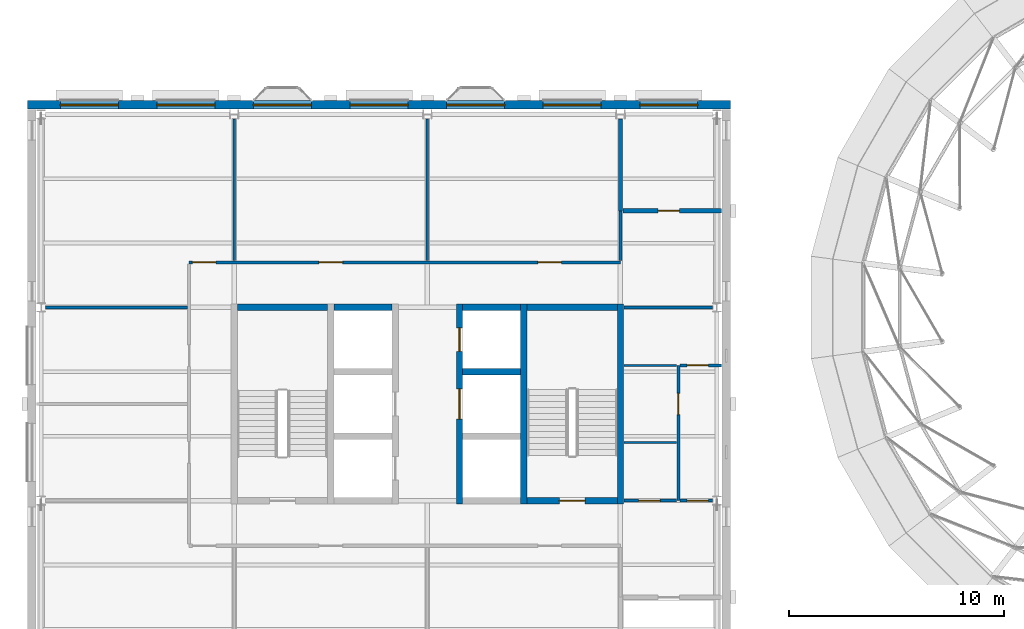
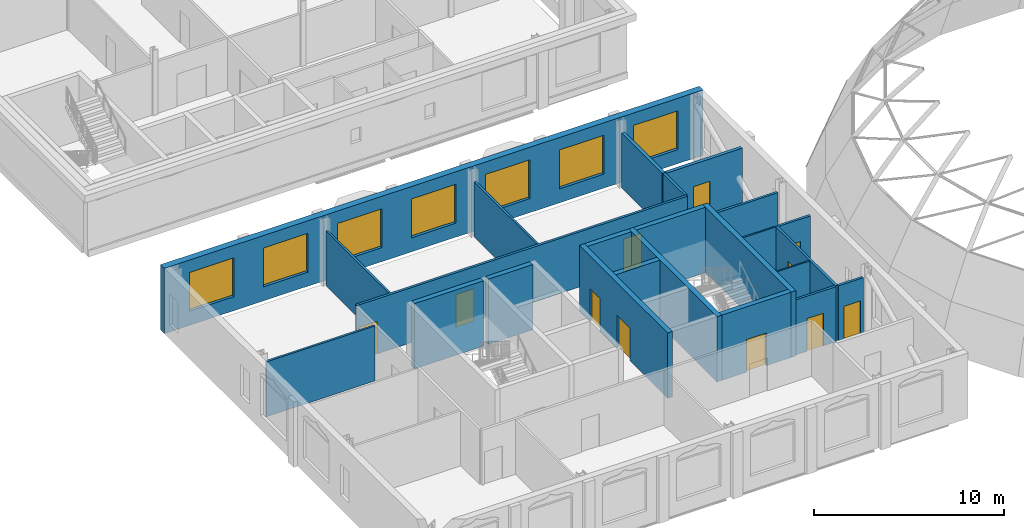
# One storey, part 34 of 62: 24 walls, 11 doors, 7 windows, 18 openings.
"""IFC4 building model written with IfcOpenShell, lengths in metres."""

from ifc_helpers import new_model, si_unit, direction, frame, frame_2d, origin, place, context, subcontext, project, spatial, rectangle, extrude, material, layer, layer_set, type_object, element, fill, save


model = new_model("IFC4")

# Units and contexts
model_context = context("Model", 3, precision=1e-05, world=origin(), true_north=direction((0.0, 1.0)))
body_context = subcontext(model_context, "Body", "Model", "MODEL_VIEW")
ifc_project = project(units=[si_unit("LENGTHUNIT", "METRE"), si_unit("AREAUNIT", "SQUARE_METRE"), si_unit("VOLUMEUNIT", "CUBIC_METRE"), si_unit("PLANEANGLEUNIT", "RADIAN"), si_unit("MASSUNIT", "GRAM", prefix="KILO")], contexts=[model_context])

# Site, building, storey
site_placement = place(None, origin())
site = spatial("IfcSite", under=ifc_project, at=site_placement, CompositionType="ELEMENT")
building_placement = place(site_placement, origin())
building = spatial("IfcBuilding", under=site, at=building_placement, Name="Hortulan Conservatory and Botanical Research Centre", CompositionType="ELEMENT")
storey_placement = place(building_placement, frame((0.0, 0.0, 15.0)))
storey = spatial("IfcBuildingStorey", under=building, at=storey_placement, Name="L03", CompositionType="ELEMENT", Elevation=15.0)

# Wall
ifc_material_1 = material(Name="Fire-rated plasterboard on steel studs", Category="steel")
ifc_layer_1 = layer(ifc_material_1, 0.199951171875)
ifc_layer_set_1 = layer_set([ifc_layer_1], Name="Compartment Partition 200")
wall_type_1 = type_object("IfcWallType", Name="Compartment Partition 200", PredefinedType="PARTITIONING", material=ifc_layer_set_1)
wall_1_placement = place(storey_placement, frame((27.0, 22.5, 0.0), z_axis=(0.0, 0.0, 1.0), x_axis=(0.0, 1.0, 0.0)))
element("IfcWall", 1, at=wall_1_placement, inside=storey, type_object=wall_type_1, Name="Store wall", PredefinedType="PARTITIONING", context=body_context, shape_type="SweptSolid", body=[
    extrude(rectangle(XDim=4.279052734375, YDim=0.199951171875, at=frame_2d((2.1396484375, 0.0))), origin(), (0.0, 0.0, 1.0), 3.537109375),
])

# Wall, opening, door
wall_2_placement = place(storey_placement, frame((27.110107421875, 22.5, 0.0), z_axis=(0.0, 0.0, 1.0), x_axis=(1.0, 0.0, 0.0)))
wall_2 = element("IfcWall", 2, at=wall_2_placement, inside=storey, type_object=wall_type_1, Name="Store wall", PredefinedType="PARTITIONING", context=body_context, shape_type="SweptSolid", body=[
    extrude(rectangle(XDim=4.60498046875, YDim=0.199951171875, at=frame_2d((2.302490234375, 0.0))), origin(), (0.0, 0.0, 1.0), 3.537109375),
])
opening_1_placement = place(wall_2_placement, frame((1.639892578125, 0.0, 0.0)))
opening_1 = element("IfcOpeningElement", 3, at=opening_1_placement, cuts=wall_2, Name="Opening DT6", PredefinedType="OPENING", context=body_context, shape_type="SweptSolid", body=[
    extrude(rectangle(XDim=1.0, YDim=2.10009765625, at=frame_2d((0.5, 1.050048828125))), frame((0.0, 0.10986328125, 0.0), z_axis=(0.0, -1.0, 0.0), x_axis=(1.0, 0.0, 0.0)), (0.0, 0.0, 1.0), 0.219970703125),
])
ifc_material_2 = material(Name="Steel door leaf, insulated", Category="steel")
door_type_1 = type_object("IfcDoorType", Name="Fire Door 1000x2100 FRL -/120/30", OperationType="NOTDEFINED", PredefinedType="DOOR", material=ifc_material_2)
door_1_placement = place(opening_1_placement, origin())
door_1 = element("IfcDoor", 4, at=door_1_placement, inside=storey, type_object=door_type_1, Name="Door DT6 Chemical Store", OperationType="SINGLE_SWING_LEFT", OverallHeight=2.10009765625, OverallWidth=1.0, PredefinedType="DOOR", context=body_context, shape_type="SweptSolid", body=[
    extrude(rectangle(XDim=1.0, YDim=2.10009765625, at=frame_2d((0.5, 1.050048828125))), frame((0.0, 0.02490234375, 0.0), z_axis=(0.0, -1.0, 0.0), x_axis=(1.0, 0.0, 0.0)), (0.0, 0.0, 1.0), 0.050048828125),
])
fill(opening_1, door_1)

# Wall, openings, doors
ifc_material_3 = material(Name="Concrete N50 (50 MPa, AS 3600)", Category="concrete")
ifc_layer_2 = layer(ifc_material_3, 0.300048828125)
ifc_layer_set_2 = layer_set([ifc_layer_2], Name="Core Wall 300 N50 FRL 240/120/120")
wall_type_2 = type_object("IfcWallType", Name="Core Wall 300 N50 FRL 240/120/120", PredefinedType="SHEAR", material=ifc_layer_set_2)
wall_3_placement = place(storey_placement, frame((19.5, 8.85009765625, 0.0), z_axis=(0.0, 0.0, 1.0), x_axis=(0.0, 1.0, 0.0)))
wall_3 = element("IfcWall", 5, at=wall_3_placement, inside=storey, type_object=wall_type_2, Name="Reinforced concrete shaft wall", PredefinedType="SHEAR", context=body_context, shape_type="SweptSolid", body=[
    extrude(rectangle(XDim=9.2998046875, YDim=0.300048828125, at=frame_2d((4.64990234375, 0.0))), origin(), (0.0, 0.0, 1.0), 4.199951171875),
])
opening_2_placement = place(wall_3_placement, frame((3.949951171875, 0.0, 0.0)))
opening_2 = element("IfcOpeningElement", 6, at=opening_2_placement, cuts=wall_3, Name="Opening LD2", PredefinedType="OPENING", context=body_context, shape_type="SweptSolid", body=[
    extrude(rectangle(XDim=1.39990234375, YDim=2.10009765625, at=frame_2d((0.699951171875, 1.050048828125))), frame((0.0, 0.159912109375, 0.0), z_axis=(0.0, -1.0, 0.0), x_axis=(1.0, 0.0, 0.0)), (0.0, 0.0, 1.0), 0.320068359375),
])
opening_3_placement = place(wall_3_placement, frame((7.10009765625, 0.0, 0.0)))
opening_3 = element("IfcOpeningElement", 7, at=opening_3_placement, cuts=wall_3, Name="Opening LD1", PredefinedType="OPENING", context=body_context, shape_type="SweptSolid", body=[
    extrude(rectangle(XDim=1.10009765625, YDim=2.10009765625, at=frame_2d((0.550048828125, 1.050048828125))), frame((0.0, 0.159912109375, 0.0), z_axis=(0.0, -1.0, 0.0), x_axis=(1.0, 0.0, 0.0)), (0.0, 0.0, 1.0), 0.320068359375),
])
ifc_material_4 = material(Name="Stainless steel door leaves in steel frame", Category="steel")
door_type_2 = type_object("IfcDoorType", Name="Lift Landing Door 1100x2100", OperationType="DOUBLE_DOOR_SLIDING", PredefinedType="DOOR", material=ifc_material_4)
door_2_placement = place(opening_3_placement, origin())
door_2 = element("IfcDoor", 8, at=door_2_placement, inside=storey, type_object=door_type_2, Name="Lift LF1 landing door L03", OperationType="DOUBLE_DOOR_SLIDING", OverallHeight=2.10009765625, OverallWidth=1.10009765625, PredefinedType="DOOR", context=body_context, shape_type="SweptSolid", body=[
    extrude(rectangle(XDim=1.10009765625, YDim=2.10009765625, at=frame_2d((0.550048828125, 1.050048828125))), frame((0.0, 0.02490234375, 0.0), z_axis=(0.0, -1.0, 0.0), x_axis=(1.0, 0.0, 0.0)), (0.0, 0.0, 1.0), 0.050048828125),
])
fill(opening_3, door_2)
door_type_3 = type_object("IfcDoorType", Name="Lift Landing Door 1400x2100", OperationType="DOUBLE_DOOR_SLIDING", PredefinedType="DOOR", material=ifc_material_4)
door_3_placement = place(opening_2_placement, origin())
door_3 = element("IfcDoor", 9, at=door_3_placement, inside=storey, type_object=door_type_3, Name="Lift LG1 landing door L03", OperationType="DOUBLE_DOOR_SLIDING", OverallHeight=2.10009765625, OverallWidth=1.39990234375, PredefinedType="DOOR", context=body_context, shape_type="SweptSolid", body=[
    extrude(rectangle(XDim=1.39990234375, YDim=2.10009765625, at=frame_2d((0.699951171875, 1.050048828125))), frame((0.0, 0.02490234375, 0.0), z_axis=(0.0, -1.0, 0.0), x_axis=(1.0, 0.0, 0.0)), (0.0, 0.0, 1.0), 0.050048828125),
])
fill(opening_2, door_3)

# Walls
for number, where, z_axis, x_axis, name in (
    (10, (22.5, 8.85009765625, 0.0), (0.0, 0.0, 1.0), (0.0, 1.0, 0.0), "Reinforced concrete shaft wall"),
    (11, (27.0, 8.85009765625, 0.0), (0.0, 0.0, 1.0), (0.0, 1.0, 0.0), "Reinforced concrete shaft wall"),
):
    element("IfcWall", number, at=place(storey_placement, frame(where, z_axis=z_axis, x_axis=x_axis)), inside=storey, type_object=wall_type_2, Name=name, PredefinedType="SHEAR", context=body_context, shape_type="SweptSolid", body=[
        extrude(rectangle(XDim=9.2998046875, YDim=0.300048828125, at=frame_2d((4.64990234375, 0.0))), origin(), (0.0, 0.0, 1.0), 4.199951171875),
    ])

# Wall, opening, door
wall_4_placement = place(storey_placement, frame((22.64990234375, 9.0, 0.0), z_axis=(0.0, 0.0, 1.0), x_axis=(1.0, 0.0, 0.0)))
wall_4 = element("IfcWall", 12, at=wall_4_placement, inside=storey, type_object=wall_type_2, Name="Reinforced concrete shaft wall", PredefinedType="SHEAR", context=body_context, shape_type="SweptSolid", body=[
    extrude(rectangle(XDim=4.2001953125, YDim=0.300048828125, at=frame_2d((2.10009765625, 0.0))), origin(), (0.0, 0.0, 1.0), 4.199951171875),
])
opening_4_placement = place(wall_4_placement, frame((1.5, 0.0, 0.0)))
opening_4 = element("IfcOpeningElement", 13, at=opening_4_placement, cuts=wall_4, Name="Opening DT5", PredefinedType="OPENING", context=body_context, shape_type="SweptSolid", body=[
    extrude(rectangle(XDim=1.199951171875, YDim=2.10009765625, at=frame_2d((0.60009765625, 1.050048828125))), frame((0.0, 0.159912109375, 0.0), z_axis=(0.0, -1.0, 0.0), x_axis=(1.0, 0.0, 0.0)), (0.0, 0.0, 1.0), 0.320068359375),
])
door_type_4 = type_object("IfcDoorType", Name="Stair Door 1200x2100 FRL -/120/30", OperationType="NOTDEFINED", PredefinedType="DOOR", material=ifc_material_2)
door_4_placement = place(opening_4_placement, origin())
door_4 = element("IfcDoor", 14, at=door_4_placement, inside=storey, type_object=door_type_4, Name="Door DT5 Exit Stair T2", OperationType="SINGLE_SWING_LEFT", OverallHeight=2.10009765625, OverallWidth=1.199951171875, PredefinedType="DOOR", context=body_context, shape_type="SweptSolid", body=[
    extrude(rectangle(XDim=1.199951171875, YDim=2.10009765625, at=frame_2d((0.60009765625, 1.050048828125))), frame((0.0, 0.02490234375, 0.0), z_axis=(0.0, -1.0, 0.0), x_axis=(1.0, 0.0, 0.0)), (0.0, 0.0, 1.0), 0.050048828125),
])
fill(opening_4, door_4)

# Walls
wall_5_placement = place(storey_placement, frame((19.64990234375, 15.0, 0.0), z_axis=(0.0, 0.0, 1.0), x_axis=(1.0, 0.0, 0.0)))
element("IfcWall", 15, at=wall_5_placement, inside=storey, type_object=wall_type_2, Name="Reinforced concrete shaft wall", PredefinedType="SHEAR", context=body_context, shape_type="SweptSolid", body=[
    extrude(rectangle(XDim=2.7001953125, YDim=0.300048828125, at=frame_2d((1.35009765625, 0.0))), origin(), (0.0, 0.0, 1.0), 4.199951171875),
])
wall_6_placement = place(storey_placement, frame((9.14990234375, 18.0, 0.0), z_axis=(0.0, 0.0, 1.0), x_axis=(1.0, 0.0, 0.0)))
element("IfcWall", 16, at=wall_6_placement, inside=storey, type_object=wall_type_2, Name="Reinforced concrete shaft wall", PredefinedType="SHEAR", context=body_context, shape_type="SweptSolid", body=[
    extrude(rectangle(XDim=4.2001953125, YDim=0.300048828125, at=frame_2d((2.10009765625, 0.0))), origin(), (0.0, 0.0, 1.0), 4.199951171875),
])
for number, where, z_axis, x_axis, name in (
    (17, (13.64990234375, 18.0, 0.0), (0.0, 0.0, 1.0), (1.0, 0.0, 0.0), "Reinforced concrete shaft wall"),
    (18, (19.64990234375, 18.0, 0.0), (0.0, 0.0, 1.0), (1.0, 0.0, 0.0), "Reinforced concrete shaft wall"),
):
    element("IfcWall", number, at=place(storey_placement, frame(where, z_axis=z_axis, x_axis=x_axis)), inside=storey, type_object=wall_type_2, Name=name, PredefinedType="SHEAR", context=body_context, shape_type="SweptSolid", body=[
        extrude(rectangle(XDim=2.7001953125, YDim=0.300048828125, at=frame_2d((1.35009765625, 0.0))), origin(), (0.0, 0.0, 1.0), 4.199951171875),
    ])
wall_7_placement = place(storey_placement, frame((22.64990234375, 18.0, 0.0), z_axis=(0.0, 0.0, 1.0), x_axis=(1.0, 0.0, 0.0)))
element("IfcWall", 19, at=wall_7_placement, inside=storey, type_object=wall_type_2, Name="Reinforced concrete shaft wall", PredefinedType="SHEAR", context=body_context, shape_type="SweptSolid", body=[
    extrude(rectangle(XDim=4.2001953125, YDim=0.300048828125, at=frame_2d((2.10009765625, 0.0))), origin(), (0.0, 0.0, 1.0), 4.199951171875),
])
ifc_material_5 = material(Name="Plasterboard on steel studs", Category="steel")
ifc_layer_3 = layer(ifc_material_5, 0.14990234375)
ifc_layer_set_3 = layer_set([ifc_layer_3], Name="Corridor Partition 150")
wall_type_3 = type_object("IfcWallType", Name="Corridor Partition 150", PredefinedType="PARTITIONING", material=ifc_layer_set_3)
wall_8_placement = place(storey_placement, frame((27.0, 20.18505859375, 0.0), z_axis=(0.0, 0.0, 1.0), x_axis=(0.0, 1.0, 0.0)))
element("IfcWall", 20, at=wall_8_placement, inside=storey, type_object=wall_type_3, Name="Corridor partition", PredefinedType="PARTITIONING", context=body_context, shape_type="SweptSolid", body=[
    extrude(rectangle(XDim=2.304931640625, YDim=0.14990234375, at=frame_2d((1.15234375, 0.0))), origin(), (0.0, 0.0, 1.0), 3.537109375),
])

# Wall, opening, door
wall_9_placement = place(storey_placement, frame((27.159912109375, 9.0, 0.0), z_axis=(0.0, 0.0, 1.0), x_axis=(1.0, 0.0, 0.0)))
wall_9 = element("IfcWall", 21, at=wall_9_placement, inside=storey, type_object=wall_type_3, Name="Corridor partition", PredefinedType="PARTITIONING", context=body_context, shape_type="SweptSolid", body=[
    extrude(rectangle(XDim=2.455078125, YDim=0.14990234375, at=frame_2d((1.2275390625, 0.0))), origin(), (0.0, 0.0, 1.0), 3.537109375),
])
opening_5_placement = place(wall_9_placement, frame((0.68994140625, 0.0, 0.0)))
opening_5 = element("IfcOpeningElement", 22, at=opening_5_placement, cuts=wall_9, Name="Opening DT1", PredefinedType="OPENING", context=body_context, shape_type="SweptSolid", body=[
    extrude(rectangle(XDim=1.0, YDim=2.10009765625, at=frame_2d((0.5, 1.050048828125))), frame((0.0, 0.0849609375, 0.0), z_axis=(0.0, -1.0, 0.0), x_axis=(1.0, 0.0, 0.0)), (0.0, 0.0, 1.0), 0.169921875),
])
ifc_material_6 = material(Name="Timber door leaf in timber frame", Category="wood")
door_type_5 = type_object("IfcDoorType", Name="Single Door 1000x2100", OperationType="NOTDEFINED", PredefinedType="DOOR", material=ifc_material_6)
door_5_placement = place(opening_5_placement, origin())
door_5 = element("IfcDoor", 23, at=door_5_placement, inside=storey, type_object=door_type_5, Name="Door DT1 Accessible WC", OperationType="SINGLE_SWING_RIGHT", OverallHeight=2.10009765625, OverallWidth=1.0, PredefinedType="DOOR", context=body_context, shape_type="SweptSolid", body=[
    extrude(rectangle(XDim=1.0, YDim=2.10009765625, at=frame_2d((0.5, 1.050048828125))), frame((0.0, 0.02490234375, 0.0), z_axis=(0.0, -1.0, 0.0), x_axis=(1.0, 0.0, 0.0)), (0.0, 0.0, 1.0), 0.050048828125),
])
fill(opening_5, door_5)

# Wall
wall_10_placement = place(storey_placement, frame((27.159912109375, 18.0, 0.0), z_axis=(0.0, 0.0, 1.0), x_axis=(1.0, 0.0, 0.0)))
element("IfcWall", 24, at=wall_10_placement, inside=storey, type_object=wall_type_3, Name="Corridor partition", PredefinedType="PARTITIONING", context=body_context, shape_type="SweptSolid", body=[
    extrude(rectangle(XDim=4.130126953125, YDim=0.14990234375, at=frame_2d((2.06494140625, 0.0))), origin(), (0.0, 0.0, 1.0), 3.537109375),
])

# Wall, openings, doors
wall_11_placement = place(storey_placement, frame((6.89990234375, 20.10009765625, 0.0), z_axis=(0.0, 0.0, 1.0), x_axis=(1.0, 0.0, 0.0)))
wall_11 = element("IfcWall", 25, at=wall_11_placement, inside=storey, type_object=wall_type_3, Name="Corridor partition", PredefinedType="PARTITIONING", context=body_context, shape_type="SweptSolid", body=[
    extrude(rectangle(XDim=20.10009765625, YDim=0.14990234375, at=frame_2d((10.050048828125, 0.0))), origin(), (0.0, 0.0, 1.0), 3.537109375),
])
opening_6_placement = place(wall_11_placement, frame((0.14990234375, 0.0, 0.0)))
opening_6 = element("IfcOpeningElement", 26, at=opening_6_placement, cuts=wall_11, Name="Opening DT3", PredefinedType="OPENING", context=body_context, shape_type="SweptSolid", body=[
    extrude(rectangle(XDim=1.10009765625, YDim=2.10009765625, at=frame_2d((0.550048828125, 1.050048828125))), frame((0.0, 0.0849609375, 0.0), z_axis=(0.0, -1.0, 0.0), x_axis=(1.0, 0.0, 0.0)), (0.0, 0.0, 1.0), 0.169921875),
])
opening_7_placement = place(wall_11_placement, frame((6.050048828125, 0.0, 0.0)))
opening_7 = element("IfcOpeningElement", 27, at=opening_7_placement, cuts=wall_11, Name="Opening DT3", PredefinedType="OPENING", context=body_context, shape_type="SweptSolid", body=[
    extrude(rectangle(XDim=1.10009765625, YDim=2.10009765625, at=frame_2d((0.550048828125, 1.050048828125))), frame((0.0, 0.0849609375, 0.0), z_axis=(0.0, -1.0, 0.0), x_axis=(1.0, 0.0, 0.0)), (0.0, 0.0, 1.0), 0.169921875),
])
opening_8_placement = place(wall_11_placement, frame((16.25, 0.0, 0.0)))
opening_8 = element("IfcOpeningElement", 28, at=opening_8_placement, cuts=wall_11, Name="Opening DT3", PredefinedType="OPENING", context=body_context, shape_type="SweptSolid", body=[
    extrude(rectangle(XDim=1.10009765625, YDim=2.10009765625, at=frame_2d((0.550048828125, 1.050048828125))), frame((0.0, 0.0849609375, 0.0), z_axis=(0.0, -1.0, 0.0), x_axis=(1.0, 0.0, 0.0)), (0.0, 0.0, 1.0), 0.169921875),
])
ifc_material_7 = material(Name="Timber door leaf with vision panel", Category="wood")
door_type_6 = type_object("IfcDoorType", Name="Laboratory Door 1100x2100", OperationType="NOTDEFINED", PredefinedType="DOOR", material=ifc_material_7)
door_6_placement = place(opening_6_placement, origin())
door_6 = element("IfcDoor", 29, at=door_6_placement, inside=storey, type_object=door_type_6, Name="Door DT3 Plant Physiology Laboratory", OperationType="SINGLE_SWING_RIGHT", OverallHeight=2.10009765625, OverallWidth=1.10009765625, PredefinedType="DOOR", context=body_context, shape_type="SweptSolid", body=[
    extrude(rectangle(XDim=1.10009765625, YDim=2.10009765625, at=frame_2d((0.550048828125, 1.050048828125))), frame((0.0, 0.02490234375, 0.0), z_axis=(0.0, -1.0, 0.0), x_axis=(1.0, 0.0, 0.0)), (0.0, 0.0, 1.0), 0.050048828125),
])
fill(opening_6, door_6)
door_7_placement = place(opening_7_placement, origin())
door_7 = element("IfcDoor", 30, at=door_7_placement, inside=storey, type_object=door_type_6, Name="Door DT3 Genomics Laboratory", OperationType="SINGLE_SWING_LEFT", OverallHeight=2.10009765625, OverallWidth=1.10009765625, PredefinedType="DOOR", context=body_context, shape_type="SweptSolid", body=[
    extrude(rectangle(XDim=1.10009765625, YDim=2.10009765625, at=frame_2d((0.550048828125, 1.050048828125))), frame((0.0, 0.02490234375, 0.0), z_axis=(0.0, -1.0, 0.0), x_axis=(1.0, 0.0, 0.0)), (0.0, 0.0, 1.0), 0.050048828125),
])
fill(opening_7, door_7)
door_8_placement = place(opening_8_placement, origin())
door_8 = element("IfcDoor", 31, at=door_8_placement, inside=storey, type_object=door_type_6, Name="Door DT3 Microscopy Suite", OperationType="SINGLE_SWING_RIGHT", OverallHeight=2.10009765625, OverallWidth=1.10009765625, PredefinedType="DOOR", context=body_context, shape_type="SweptSolid", body=[
    extrude(rectangle(XDim=1.10009765625, YDim=2.10009765625, at=frame_2d((0.550048828125, 1.050048828125))), frame((0.0, 0.02490234375, 0.0), z_axis=(0.0, -1.0, 0.0), x_axis=(1.0, 0.0, 0.0)), (0.0, 0.0, 1.0), 0.050048828125),
])
fill(opening_8, door_8)

# Wall, openings, windows
ifc_material_8 = material(Name="Faience-faced brickwork masonry", Category="masonry")
ifc_layer_4 = layer(ifc_material_8, 0.39990234375)
ifc_layer_set_4 = layer_set([ifc_layer_4], Name="Faience-faced Masonry Cavity Wall 400")
wall_type_4 = type_object("IfcWallType", Name="Faience-faced Masonry Cavity Wall 400", PredefinedType="STANDARD", material=ifc_layer_set_4)
wall_12_placement = place(storey_placement, frame((-0.625, 27.43603515625, 0.0), z_axis=(0.0, 0.0, 1.0), x_axis=(1.0, 0.0, 0.0)))
wall_12 = element("IfcWall", 32, at=wall_12_placement, inside=storey, type_object=wall_type_4, Name="E-EW-TW-L03-N3", PredefinedType="STANDARD", context=body_context, shape_type="SweptSolid", body=[
    extrude(rectangle(XDim=32.75, YDim=0.39990234375, at=frame_2d((16.375, 0.0))), origin(), (0.0, 0.0, 1.0), 4.199951171875),
])
opening_9_placement = place(wall_12_placement, frame((1.52490234375, 0.0, 0.89990234375)))
opening_9 = element("IfcOpeningElement", 33, at=opening_9_placement, cuts=wall_12, Name="Opening W4", PredefinedType="OPENING", context=body_context, shape_type="SweptSolid", body=[
    extrude(rectangle(XDim=2.699951171875, YDim=2.5, at=frame_2d((1.35009765625, 1.25))), frame((0.0, 0.2099609375, 0.0), z_axis=(0.0, -1.0, 0.0), x_axis=(1.0, 0.0, 0.0)), (0.0, 0.0, 1.0), 0.419921875),
])
opening_10_placement = place(wall_12_placement, frame((6.02490234375, 0.0, 0.89990234375)))
opening_10 = element("IfcOpeningElement", 34, at=opening_10_placement, cuts=wall_12, Name="Opening W4", PredefinedType="OPENING", context=body_context, shape_type="SweptSolid", body=[
    extrude(rectangle(XDim=2.699951171875, YDim=2.5, at=frame_2d((1.35009765625, 1.25))), frame((0.0, 0.2099609375, 0.0), z_axis=(0.0, -1.0, 0.0), x_axis=(1.0, 0.0, 0.0)), (0.0, 0.0, 1.0), 0.419921875),
])
opening_11_placement = place(wall_12_placement, frame((10.52490234375, 0.0, 0.89990234375)))
opening_11 = element("IfcOpeningElement", 35, at=opening_11_placement, cuts=wall_12, Name="Opening W4", PredefinedType="OPENING", context=body_context, shape_type="SweptSolid", body=[
    extrude(rectangle(XDim=2.699951171875, YDim=2.5, at=frame_2d((1.35009765625, 1.25))), frame((0.0, 0.2099609375, 0.0), z_axis=(0.0, -1.0, 0.0), x_axis=(1.0, 0.0, 0.0)), (0.0, 0.0, 1.0), 0.419921875),
])
opening_12_placement = place(wall_12_placement, frame((15.02490234375, 0.0, 0.89990234375)))
opening_12 = element("IfcOpeningElement", 36, at=opening_12_placement, cuts=wall_12, Name="Opening W4", PredefinedType="OPENING", context=body_context, shape_type="SweptSolid", body=[
    extrude(rectangle(XDim=2.699951171875, YDim=2.5, at=frame_2d((1.35009765625, 1.25))), frame((0.0, 0.2099609375, 0.0), z_axis=(0.0, -1.0, 0.0), x_axis=(1.0, 0.0, 0.0)), (0.0, 0.0, 1.0), 0.419921875),
])
opening_13_placement = place(wall_12_placement, frame((19.52490234375, 0.0, 0.89990234375)))
opening_13 = element("IfcOpeningElement", 37, at=opening_13_placement, cuts=wall_12, Name="Opening W4", PredefinedType="OPENING", context=body_context, shape_type="SweptSolid", body=[
    extrude(rectangle(XDim=2.699951171875, YDim=2.5, at=frame_2d((1.35009765625, 1.25))), frame((0.0, 0.2099609375, 0.0), z_axis=(0.0, -1.0, 0.0), x_axis=(1.0, 0.0, 0.0)), (0.0, 0.0, 1.0), 0.419921875),
])
opening_14_placement = place(wall_12_placement, frame((24.02490234375, 0.0, 0.89990234375)))
opening_14 = element("IfcOpeningElement", 38, at=opening_14_placement, cuts=wall_12, Name="Opening W4", PredefinedType="OPENING", context=body_context, shape_type="SweptSolid", body=[
    extrude(rectangle(XDim=2.699951171875, YDim=2.5, at=frame_2d((1.35009765625, 1.25))), frame((0.0, 0.2099609375, 0.0), z_axis=(0.0, -1.0, 0.0), x_axis=(1.0, 0.0, 0.0)), (0.0, 0.0, 1.0), 0.419921875),
])
opening_15_placement = place(wall_12_placement, frame((28.52490234375, 0.0, 0.89990234375)))
opening_15 = element("IfcOpeningElement", 39, at=opening_15_placement, cuts=wall_12, Name="Opening W4", PredefinedType="OPENING", context=body_context, shape_type="SweptSolid", body=[
    extrude(rectangle(XDim=2.699951171875, YDim=2.5, at=frame_2d((1.35009765625, 1.25))), frame((0.0, 0.2099609375, 0.0), z_axis=(0.0, -1.0, 0.0), x_axis=(1.0, 0.0, 0.0)), (0.0, 0.0, 1.0), 0.419921875),
])
ifc_material_9 = material(Name="Bronze-finished aluminium frame with low-e laminated double glazing", Category="aluminium")
window_type = type_object("IfcWindowType", Name="Faience Window 2700x2500", PartitioningType="SINGLE_PANEL", PredefinedType="WINDOW", material=ifc_material_9)
window_1_placement = place(opening_9_placement, origin())
window_1 = element("IfcWindow", 40, at=window_1_placement, inside=storey, type_object=window_type, Name="Faience window", OverallHeight=2.5, OverallWidth=2.699951171875, PartitioningType="SINGLE_PANEL", PredefinedType="WINDOW", context=body_context, shape_type="SweptSolid", body=[
    extrude(rectangle(XDim=2.699951171875, YDim=2.5, at=frame_2d((1.35009765625, 1.25))), frame((0.0, 0.030029296875, 0.0), z_axis=(0.0, -1.0, 0.0), x_axis=(1.0, 0.0, 0.0)), (0.0, 0.0, 1.0), 0.06005859375),
])
fill(opening_9, window_1)
window_2_placement = place(opening_10_placement, origin())
window_2 = element("IfcWindow", 41, at=window_2_placement, inside=storey, type_object=window_type, Name="Faience window", OverallHeight=2.5, OverallWidth=2.699951171875, PartitioningType="SINGLE_PANEL", PredefinedType="WINDOW", context=body_context, shape_type="SweptSolid", body=[
    extrude(rectangle(XDim=2.699951171875, YDim=2.5, at=frame_2d((1.35009765625, 1.25))), frame((0.0, 0.030029296875, 0.0), z_axis=(0.0, -1.0, 0.0), x_axis=(1.0, 0.0, 0.0)), (0.0, 0.0, 1.0), 0.06005859375),
])
fill(opening_10, window_2)
window_3_placement = place(opening_11_placement, origin())
window_3 = element("IfcWindow", 42, at=window_3_placement, inside=storey, type_object=window_type, Name="Faience window", OverallHeight=2.5, OverallWidth=2.699951171875, PartitioningType="SINGLE_PANEL", PredefinedType="WINDOW", context=body_context, shape_type="SweptSolid", body=[
    extrude(rectangle(XDim=2.699951171875, YDim=2.5, at=frame_2d((1.35009765625, 1.25))), frame((0.0, 0.030029296875, 0.0), z_axis=(0.0, -1.0, 0.0), x_axis=(1.0, 0.0, 0.0)), (0.0, 0.0, 1.0), 0.06005859375),
])
fill(opening_11, window_3)
window_4_placement = place(opening_12_placement, origin())
window_4 = element("IfcWindow", 43, at=window_4_placement, inside=storey, type_object=window_type, Name="Faience window", OverallHeight=2.5, OverallWidth=2.699951171875, PartitioningType="SINGLE_PANEL", PredefinedType="WINDOW", context=body_context, shape_type="SweptSolid", body=[
    extrude(rectangle(XDim=2.699951171875, YDim=2.5, at=frame_2d((1.35009765625, 1.25))), frame((0.0, 0.030029296875, 0.0), z_axis=(0.0, -1.0, 0.0), x_axis=(1.0, 0.0, 0.0)), (0.0, 0.0, 1.0), 0.06005859375),
])
fill(opening_12, window_4)
window_5_placement = place(opening_13_placement, origin())
window_5 = element("IfcWindow", 44, at=window_5_placement, inside=storey, type_object=window_type, Name="Faience window", OverallHeight=2.5, OverallWidth=2.699951171875, PartitioningType="SINGLE_PANEL", PredefinedType="WINDOW", context=body_context, shape_type="SweptSolid", body=[
    extrude(rectangle(XDim=2.699951171875, YDim=2.5, at=frame_2d((1.35009765625, 1.25))), frame((0.0, 0.030029296875, 0.0), z_axis=(0.0, -1.0, 0.0), x_axis=(1.0, 0.0, 0.0)), (0.0, 0.0, 1.0), 0.06005859375),
])
fill(opening_13, window_5)
window_6_placement = place(opening_14_placement, origin())
window_6 = element("IfcWindow", 45, at=window_6_placement, inside=storey, type_object=window_type, Name="Faience window", OverallHeight=2.5, OverallWidth=2.699951171875, PartitioningType="SINGLE_PANEL", PredefinedType="WINDOW", context=body_context, shape_type="SweptSolid", body=[
    extrude(rectangle(XDim=2.699951171875, YDim=2.5, at=frame_2d((1.35009765625, 1.25))), frame((0.0, 0.030029296875, 0.0), z_axis=(0.0, -1.0, 0.0), x_axis=(1.0, 0.0, 0.0)), (0.0, 0.0, 1.0), 0.06005859375),
])
fill(opening_14, window_6)
window_7_placement = place(opening_15_placement, origin())
window_7 = element("IfcWindow", 46, at=window_7_placement, inside=storey, type_object=window_type, Name="Faience window", OverallHeight=2.5, OverallWidth=2.699951171875, PartitioningType="SINGLE_PANEL", PredefinedType="WINDOW", context=body_context, shape_type="SweptSolid", body=[
    extrude(rectangle(XDim=2.699951171875, YDim=2.5, at=frame_2d((1.35009765625, 1.25))), frame((0.0, 0.030029296875, 0.0), z_axis=(0.0, -1.0, 0.0), x_axis=(1.0, 0.0, 0.0)), (0.0, 0.0, 1.0), 0.06005859375),
])
fill(opening_15, window_7)

# Wall, opening, door
ifc_layer_5 = layer(ifc_material_1, 0.14990234375)
ifc_layer_set_5 = layer_set([ifc_layer_5], Name="Lobby Partition 150")
wall_type_5 = type_object("IfcWallType", Name="Lobby Partition 150", PredefinedType="PARTITIONING", material=ifc_layer_set_5)
wall_13_placement = place(storey_placement, frame((29.699951171875, 9.0, 0.0), z_axis=(0.0, 0.0, 1.0), x_axis=(0.0, 1.0, 0.0)))
wall_13 = element("IfcWall", 47, at=wall_13_placement, inside=storey, type_object=wall_type_5, Name="Lobby partition", PredefinedType="PARTITIONING", context=body_context, shape_type="SweptSolid", body=[
    extrude(rectangle(XDim=6.300048828125, YDim=0.14990234375, at=frame_2d((3.14990234375, 0.0))), origin(), (0.0, 0.0, 1.0), 3.537109375),
])
opening_16_placement = place(wall_13_placement, frame((4.0, 0.0, 0.0)))
opening_16 = element("IfcOpeningElement", 48, at=opening_16_placement, cuts=wall_13, Name="Opening DT4", PredefinedType="OPENING", context=body_context, shape_type="SweptSolid", body=[
    extrude(rectangle(XDim=1.0, YDim=2.10009765625, at=frame_2d((0.5, 1.050048828125))), frame((0.0, 0.0849609375, 0.0), z_axis=(0.0, -1.0, 0.0), x_axis=(1.0, 0.0, 0.0)), (0.0, 0.0, 1.0), 0.169921875),
])
door_type_7 = type_object("IfcDoorType", Name="Fire Door 1000x2100 FRL -/60/30", OperationType="NOTDEFINED", PredefinedType="DOOR", material=ifc_material_2)
door_9_placement = place(opening_16_placement, origin())
door_9 = element("IfcDoor", 49, at=door_9_placement, inside=storey, type_object=door_type_7, Name="Door DT4 Women's WC", OperationType="SINGLE_SWING_LEFT", OverallHeight=2.10009765625, OverallWidth=1.0, PredefinedType="DOOR", context=body_context, shape_type="SweptSolid", body=[
    extrude(rectangle(XDim=1.0, YDim=2.10009765625, at=frame_2d((0.5, 1.050048828125))), frame((0.0, 0.02490234375, 0.0), z_axis=(0.0, -1.0, 0.0), x_axis=(1.0, 0.0, 0.0)), (0.0, 0.0, 1.0), 0.050048828125),
])
fill(opening_16, door_9)

wall_14_placement = place(storey_placement, frame((29.784912109375, 9.0, 0.0), z_axis=(0.0, 0.0, 1.0), x_axis=(1.0, 0.0, 0.0)))
wall_14 = element("IfcWall", 50, at=wall_14_placement, inside=storey, type_object=wall_type_5, Name="Lobby partition", PredefinedType="PARTITIONING", context=body_context, shape_type="SweptSolid", body=[
    extrude(rectangle(XDim=1.505126953125, YDim=0.14990234375, at=frame_2d((0.75244140625, 0.0))), origin(), (0.0, 0.0, 1.0), 3.537109375),
])
opening_17_placement = place(wall_14_placement, frame((0.31494140625, 0.0, 0.0)))
opening_17 = element("IfcOpeningElement", 51, at=opening_17_placement, cuts=wall_14, Name="Opening DT4", PredefinedType="OPENING", context=body_context, shape_type="SweptSolid", body=[
    extrude(rectangle(XDim=1.0, YDim=2.10009765625, at=frame_2d((0.5, 1.050048828125))), frame((0.0, 0.0849609375, 0.0), z_axis=(0.0, -1.0, 0.0), x_axis=(1.0, 0.0, 0.0)), (0.0, 0.0, 1.0), 0.169921875),
])
door_10_placement = place(opening_17_placement, origin())
door_10 = element("IfcDoor", 52, at=door_10_placement, inside=storey, type_object=door_type_7, Name="Door DT4 WC Lobby", OperationType="SINGLE_SWING_LEFT", OverallHeight=2.10009765625, OverallWidth=1.0, PredefinedType="DOOR", context=body_context, shape_type="SweptSolid", body=[
    extrude(rectangle(XDim=1.0, YDim=2.10009765625, at=frame_2d((0.5, 1.050048828125))), frame((0.0, 0.02490234375, 0.0), z_axis=(0.0, -1.0, 0.0), x_axis=(1.0, 0.0, 0.0)), (0.0, 0.0, 1.0), 0.050048828125),
])
fill(opening_17, door_10)

wall_15_placement = place(storey_placement, frame((29.784912109375, 15.300048828125, 0.0), z_axis=(0.0, 0.0, 1.0), x_axis=(1.0, 0.0, 0.0)))
wall_15 = element("IfcWall", 53, at=wall_15_placement, inside=storey, type_object=wall_type_5, Name="Lobby partition", PredefinedType="PARTITIONING", context=body_context, shape_type="SweptSolid", body=[
    extrude(rectangle(XDim=1.93017578125, YDim=0.14990234375, at=frame_2d((0.965087890625, 0.0))), origin(), (0.0, 0.0, 1.0), 3.537109375),
])
opening_18_placement = place(wall_15_placement, frame((0.31494140625, 0.0, 0.0)))
opening_18 = element("IfcOpeningElement", 54, at=opening_18_placement, cuts=wall_15, Name="Opening DT4", PredefinedType="OPENING", context=body_context, shape_type="SweptSolid", body=[
    extrude(rectangle(XDim=1.0, YDim=2.10009765625, at=frame_2d((0.5, 1.050048828125))), frame((0.0, 0.0849609375, 0.0), z_axis=(0.0, -1.0, 0.0), x_axis=(1.0, 0.0, 0.0)), (0.0, 0.0, 1.0), 0.169921875),
])
door_11_placement = place(opening_18_placement, origin())
door_11 = element("IfcDoor", 55, at=door_11_placement, inside=storey, type_object=door_type_7, Name="Door DT4 Men's WC", OperationType="SINGLE_SWING_RIGHT", OverallHeight=2.10009765625, OverallWidth=1.0, PredefinedType="DOOR", context=body_context, shape_type="SweptSolid", body=[
    extrude(rectangle(XDim=1.0, YDim=2.10009765625, at=frame_2d((0.5, 1.050048828125))), frame((0.0, 0.02490234375, 0.0), z_axis=(0.0, -1.0, 0.0), x_axis=(1.0, 0.0, 0.0)), (0.0, 0.0, 1.0), 0.050048828125),
])
fill(opening_18, door_11)

# Walls
ifc_layer_6 = layer(ifc_material_5, 0.125)
ifc_layer_set_6 = layer_set([ifc_layer_6], Name="Partition 125")
wall_type_6 = type_object("IfcWallType", Name="Partition 125", PredefinedType="PARTITIONING", material=ifc_layer_set_6)
for number, where, z_axis, x_axis, name in (
    (56, (9.0, 20.18505859375, 0.0), (0.0, 0.0, 1.0), (0.0, 1.0, 0.0), "Partition"),
    (57, (18.0, 20.18505859375, 0.0), (0.0, 0.0, 1.0), (0.0, 1.0, 0.0), "Partition"),
):
    element("IfcWall", number, at=place(storey_placement, frame(where, z_axis=z_axis, x_axis=x_axis)), inside=storey, type_object=wall_type_6, Name=name, PredefinedType="PARTITIONING", context=body_context, shape_type="SweptSolid", body=[
        extrude(rectangle(XDim=6.593994140625, YDim=0.125, at=frame_2d((3.296875, 0.0))), origin(), (0.0, 0.0, 1.0), 3.537109375),
    ])
wall_16_placement = place(storey_placement, frame((0.2099609375, 18.0, 0.0), z_axis=(0.0, 0.0, 1.0), x_axis=(1.0, 0.0, 0.0)))
element("IfcWall", 58, at=wall_16_placement, inside=storey, type_object=wall_type_6, Name="Partition", PredefinedType="PARTITIONING", context=body_context, shape_type="SweptSolid", body=[
    extrude(rectangle(XDim=6.60498046875, YDim=0.125, at=frame_2d((3.302490234375, 0.0))), origin(), (0.0, 0.0, 1.0), 3.537109375),
])
ifc_material_10 = material(Name="Moisture-resistant plasterboard on steel studs", Category="steel")
ifc_layer_7 = layer(ifc_material_10, 0.10009765625)
ifc_layer_set_7 = layer_set([ifc_layer_7], Name="Wet Area Partition 100")
wall_type_7 = type_object("IfcWallType", Name="Wet Area Partition 100", PredefinedType="PARTITIONING", material=ifc_layer_set_7)
for number, where, z_axis, x_axis, name in (
    (59, (27.159912109375, 11.699951171875, 0.0), (0.0, 0.0, 1.0), (1.0, 0.0, 0.0), "Toilet partition"),
    (60, (27.159912109375, 15.300048828125, 0.0), (0.0, 0.0, 1.0), (1.0, 0.0, 0.0), "Toilet partition"),
):
    element("IfcWall", number, at=place(storey_placement, frame(where, z_axis=z_axis, x_axis=x_axis)), inside=storey, type_object=wall_type_7, Name=name, PredefinedType="PARTITIONING", context=body_context, shape_type="SweptSolid", body=[
        extrude(rectangle(XDim=2.455078125, YDim=0.10009765625, at=frame_2d((1.2275390625, 0.0))), origin(), (0.0, 0.0, 1.0), 3.537109375),
    ])

save(model, "model.ifc")
